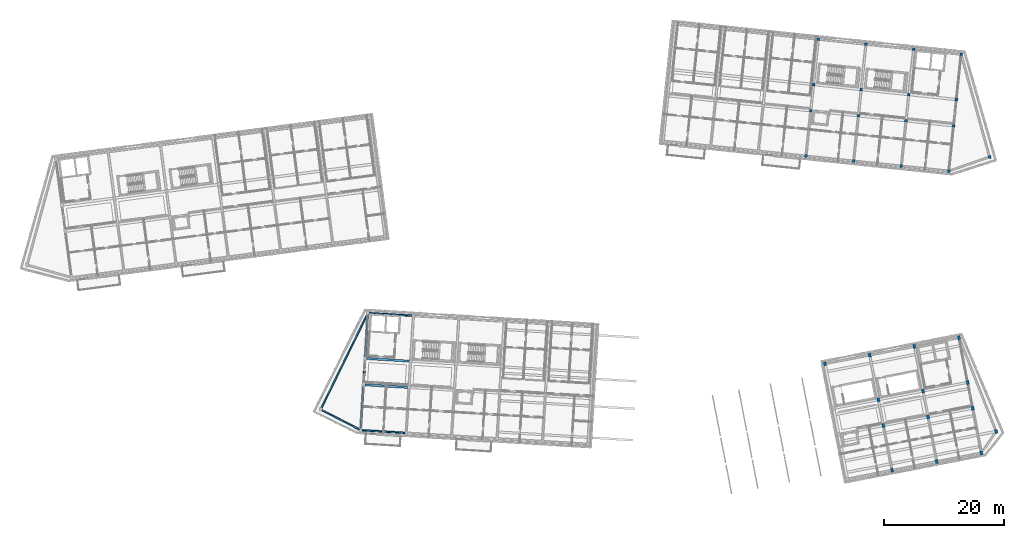
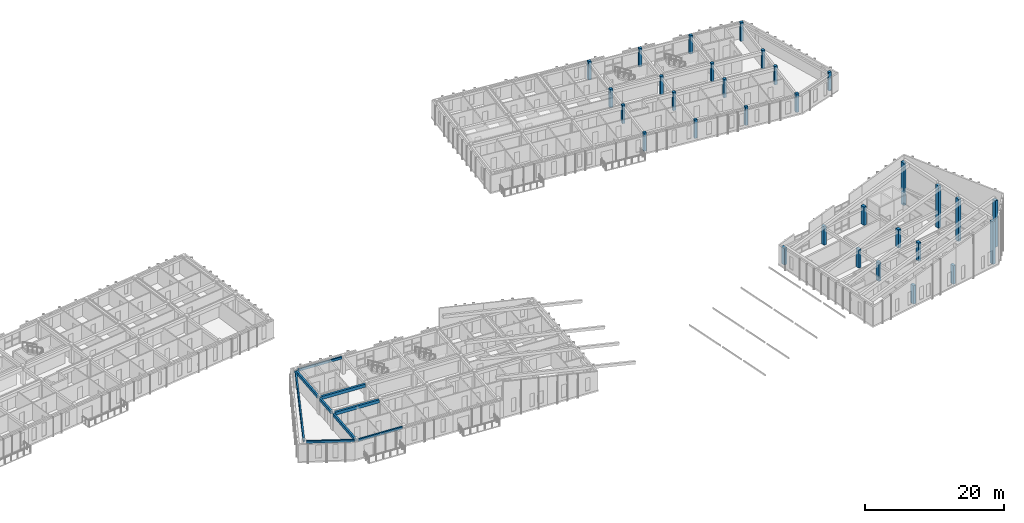
# One storey, part 2 of 56: 31 columns, 9 beams.
"""IFC4 building model written with IfcOpenShell, lengths in metres."""

from ifc_helpers import new_model, si_unit, direction, frame, origin, origin_2d, place, context, subcontext, project, spatial, rectangle, extrude, material, material_profile, profile_set, type_object, element, save


model = new_model("IFC4")

# Units and contexts
model_context = context("Model", 3, precision=1e-05, world=origin(), true_north=direction((0.0, 1.0)))
body_context = subcontext(model_context, "Body", "Model", "MODEL_VIEW")
ifc_project = project(units=[si_unit("LENGTHUNIT", "METRE"), si_unit("AREAUNIT", "SQUARE_METRE"), si_unit("VOLUMEUNIT", "CUBIC_METRE"), si_unit("PLANEANGLEUNIT", "RADIAN"), si_unit("MASSUNIT", "GRAM", prefix="KILO")], contexts=[model_context])

# Site, building, storey
site_placement = place(None, origin())
site = spatial("IfcSite", under=ifc_project, at=site_placement, CompositionType="ELEMENT")
building_placement = place(site_placement, origin())
building = spatial("IfcBuilding", under=site, at=building_placement, Name="Kestramere Prow Commons", CompositionType="ELEMENT")
storey_placement = place(building_placement, frame((0.0, 0.0, 27.89990234375)))
storey = spatial("IfcBuildingStorey", under=building, at=storey_placement, Name="L08", CompositionType="ELEMENT", Elevation=27.89990234375)

# Columns
ifc_material = material(Name="Precast concrete C40/50", Category="concrete")
ifc_material_profile_1 = material_profile(ifc_material, rectangle(XDim=0.449951171875, YDim=0.449951171875, at=origin_2d()), Name="PC-COL 450x450")
ifc_profile_set_1 = profile_set([ifc_material_profile_1], Name="Precast concrete C40/50")
column_type_1 = type_object("IfcColumnType", Name="C-B3 PC-COL 450x450", PredefinedType="COLUMN", material=ifc_profile_set_1)
for number, where, z_axis, x_axis, name in (
    (1, (133.868408203125, 92.291259765625, 0.0), (0.0, 0.0, 1.0), (0.994521895368, -0.104528463268, 0.0), "Block B L08 Column 4-1"),
    (2, (134.662841796875, 99.849609375, 0.0), (0.0, 0.0, 1.0), (0.994521895368, -0.104528463268, 0.0), "Block B L08 Column 4-2"),
    (3, (135.122802734375, 104.2255859375, 0.0), (0.0, 0.0, 1.0), (0.994521895368, -0.104528463268, 0.0), "Block B L08 Column 4-3"),
    (4, (135.917236328125, 111.783935546875, 0.0), (0.0, 0.0, 1.0), (0.994521895368, -0.104528463268, 0.0), "Block B L08 Column 4-4"),
    (5, (141.82470703125, 91.455078125, 0.0), (0.0, 0.0, 1.0), (0.994521895368, -0.104528463268, 0.0), "Block B L08 Column 5-1"),
    (6, (142.619140625, 99.013427734375, 0.0), (0.0, 0.0, 1.0), (0.994521895368, -0.104528463268, 0.0), "Block B L08 Column 5-2"),
    (7, (143.0791015625, 103.389404296875, 0.0), (0.0, 0.0, 1.0), (0.994521895368, -0.104528463268, 0.0), "Block B L08 Column 5-3"),
    (8, (143.87353515625, 110.94775390625, 0.0), (0.0, 0.0, 1.0), (0.994521895368, -0.104528463268, 0.0), "Block B L08 Column 5-4"),
    (9, (149.78076171875, 90.618896484375, 0.0), (0.0, 0.0, 1.0), (0.994521895368, -0.104528463268, 0.0), "Block B L08 Column 6-1"),
    (10, (150.5751953125, 98.17724609375, 0.0), (0.0, 0.0, 1.0), (0.994521895368, -0.104528463268, 0.0), "Block B L08 Column 6-2"),
    (11, (151.03515625, 102.55322265625, 0.0), (0.0, 0.0, 1.0), (0.994521895368, -0.104528463268, 0.0), "Block B L08 Column 6-3"),
    (12, (151.82958984375, 110.111572265625, 0.0), (0.0, 0.0, 1.0), (0.994521895368, -0.104528463268, 0.0), "Block B L08 Column 6-4"),
    (13, (157.737060546875, 89.78271484375, 0.0), (0.0, 0.0, 1.0), (0.994521895368, -0.104528463268, 0.0), "Block B L08 Column 7-1"),
    (14, (158.531494140625, 97.341064453125, 0.0), (0.0, 0.0, 1.0), (0.994521895368, -0.104528463268, 0.0), "Block B L08 Column 7-2"),
    (15, (158.991455078125, 101.716796875, 0.0), (0.0, 0.0, 1.0), (0.994521895368, -0.104528463268, 0.0), "Block B L08 Column 7-3"),
    (16, (159.785888671875, 109.275146484375, 0.0), (0.0, 0.0, 1.0), (0.994521895368, -0.104528463268, 0.0), "Block B L08 Column 7-4"),
    (17, (164.520263671875, 92.136474609375, 0.0), (0.0, 0.0, 1.0), (0.994521895368, -0.104528463268, 0.0), "Block B L08 Prow Apex Column"),
):
    element("IfcColumn", number, at=place(storey_placement, frame(where, z_axis=z_axis, x_axis=x_axis)), inside=storey, type_object=column_type_1, Name=name, PredefinedType="COLUMN", context=body_context, shape_type="SweptSolid", body=[
        extrude(rectangle(XDim=0.449951171875, YDim=0.449951171875, at=origin_2d()), origin(), (0.0, 0.0, 1.0), 3.25),
    ])
ifc_material_profile_2 = material_profile(ifc_material, rectangle(XDim=0.449951171875, YDim=0.64990234375, at=origin_2d()), Name="PC-COL 450x650")
ifc_profile_set_2 = profile_set([ifc_material_profile_2], Name="Precast concrete C40/50")
column_type_2 = type_object("IfcColumnType", Name="C-D3 PC-COL 450x650", PredefinedType="COLUMN", material=ifc_profile_set_2)
column_1_placement = place(storey_placement, frame((137.041259765625, 57.59033203125, 0.0), z_axis=(0.0, 0.0, 1.0), x_axis=(0.981627183448, 0.190808995377, 0.0)))
element("IfcColumn", 18, at=column_1_placement, inside=storey, type_object=column_type_2, Name="Block D L08 Column 4-4", PredefinedType="COLUMN", context=body_context, shape_type="SweptSolid", body=[
    extrude(rectangle(XDim=0.449951171875, YDim=0.64990234375, at=origin_2d()), origin(), (0.0, 0.0, 1.0), 3.0),
])
for number, where, z_axis, x_axis, name in (
    (19, (148.241455078125, 39.800537109375, 0.0), (0.0, 0.0, 1.0), (0.981627183448, 0.190808995377, 0.0), "Block D L08 Column 5-1"),
    (20, (146.791259765625, 47.260986328125, 0.0), (0.0, 0.0, 1.0), (0.981627183448, 0.190808995377, 0.0), "Block D L08 Column 5-2"),
    (21, (145.95166015625, 51.580078125, 0.0), (0.0, 0.0, 1.0), (0.981627183448, 0.190808995377, 0.0), "Block D L08 Column 5-3"),
    (22, (144.501708984375, 59.04052734375, 0.0), (0.0, 0.0, 1.0), (0.981627183448, 0.190808995377, 0.0), "Block D L08 Column 5-4"),
    (23, (155.701904296875, 41.250732421875, 0.0), (0.0, 0.0, 1.0), (0.981627183448, 0.190808995377, 0.0), "Block D L08 Column 6-1"),
    (24, (154.251708984375, 48.711181640625, 0.0), (0.0, 0.0, 1.0), (0.981627183448, 0.190808995377, 0.0), "Block D L08 Column 6-2"),
    (25, (153.412109375, 53.0302734375, 0.0), (0.0, 0.0, 1.0), (0.981627183448, 0.190808995377, 0.0), "Block D L08 Column 6-3"),
    (26, (151.9619140625, 60.49072265625, 0.0), (0.0, 0.0, 1.0), (0.981627183448, 0.190808995377, 0.0), "Block D L08 Column 6-4"),
):
    element("IfcColumn", number, at=place(storey_placement, frame(where, z_axis=z_axis, x_axis=x_axis)), inside=storey, type_object=column_type_2, Name=name, PredefinedType="COLUMN", context=body_context, shape_type="SweptSolid", body=[
        extrude(rectangle(XDim=0.449951171875, YDim=0.64990234375, at=origin_2d()), origin(), (0.0, 0.0, 1.0), 3.25),
    ])
for number, where, z_axis, x_axis, name in (
    (27, (163.162109375, 42.700927734375, 0.0), (0.0, 0.0, 1.0), (0.981627183448, 0.190808995377, 0.0), "Block D L08 Column 7-1"),
    (28, (161.712158203125, 50.161376953125, 0.0), (0.0, 0.0, 1.0), (0.981627183448, 0.190808995377, 0.0), "Block D L08 Column 7-2"),
    (29, (160.87255859375, 54.48046875, 0.0), (0.0, 0.0, 1.0), (0.981627183448, 0.190808995377, 0.0), "Block D L08 Column 7-3"),
    (30, (159.42236328125, 61.940673828125, 0.0), (0.0, 0.0, 1.0), (0.981627183448, 0.190808995377, 0.0), "Block D L08 Column 7-4"),
):
    element("IfcColumn", number, at=place(storey_placement, frame(where, z_axis=z_axis, x_axis=x_axis)), inside=storey, type_object=column_type_2, Name=name, PredefinedType="COLUMN", context=body_context, shape_type="SweptSolid", body=[
        extrude(rectangle(XDim=0.449951171875, YDim=0.64990234375, at=origin_2d()), origin(), (0.0, 0.0, 1.0), 7.467529296875),
    ])
column_2_placement = place(storey_placement, frame((165.623291015625, 46.286376953125, 0.0), z_axis=(0.0, 0.0, 1.0), x_axis=(0.981627183448, 0.190808995377, 0.0)))
element("IfcColumn", 31, at=column_2_placement, inside=storey, type_object=column_type_2, Name="Block D L08 Prow Apex Column", PredefinedType="COLUMN", context=body_context, shape_type="SweptSolid", body=[
    extrude(rectangle(XDim=0.449951171875, YDim=0.64990234375, at=origin_2d()), origin(), (0.0, 0.0, 1.0), 8.13916015625),
])

# Beams
ifc_material_profile_3 = material_profile(ifc_material, rectangle(XDim=0.35009765625, YDim=0.550048828125, at=origin_2d()), Name="PC-BM 350x550")
ifc_profile_set_3 = profile_set([ifc_material_profile_3], Name="Precast concrete C40/50")
beam_type_1 = type_object("IfcBeamType", Name="BM-C1 PC-BM 350x550", PredefinedType="BEAM", material=ifc_profile_set_3)
beam_1_placement = place(storey_placement, frame((60.1884765625, 54.072021484375, 2.72509765625), z_axis=(0.998134602239, -0.061051747017, 0.0), x_axis=(0.061051747017, 0.998134602239, 0.0)))
element("IfcBeam", 32, at=beam_1_placement, inside=storey, type_object=beam_type_1, Name="Block C L08 Longitudinal Beam 2-1", PredefinedType="BEAM", context=body_context, shape_type="SweptSolid", body=[
    extrude(rectangle(XDim=0.35009765625, YDim=0.550048828125, at=origin_2d()), origin(), (0.0, 0.0, 1.0), 7.150146484375),
])
beam_2_placement = place(storey_placement, frame((60.457275390625, 58.4638671875, 2.72509765625), z_axis=(0.998134474962, -0.061053827828, 0.0), x_axis=(0.061053827828, 0.998134474962, 0.0)))
element("IfcBeam", 33, at=beam_2_placement, inside=storey, type_object=beam_type_1, Name="Block C L08 Longitudinal Beam 3-1", PredefinedType="BEAM", context=body_context, shape_type="SweptSolid", body=[
    extrude(rectangle(XDim=0.35009765625, YDim=0.550048828125, at=origin_2d()), origin(), (0.0, 0.0, 1.0), 7.14990234375),
])
ifc_material_profile_4 = material_profile(ifc_material, rectangle(XDim=0.300048828125, YDim=0.5, at=origin_2d()), Name="PC-BM 300x500")
ifc_profile_set_4 = profile_set([ifc_material_profile_4], Name="Precast concrete C40/50")
beam_type_2 = type_object("IfcBeamType", Name="BM-TIE-01 PC-BM 300x500", PredefinedType="BEAM", material=ifc_profile_set_4)
beam_3_placement = place(storey_placement, frame((59.518310546875, 46.799560546875, 2.75), z_axis=(0.061036313012, 0.998135546153, 0.0), x_axis=(-0.998135546153, 0.061036313012, 0.0)))
element("IfcBeam", 34, at=beam_3_placement, inside=storey, type_object=beam_type_2, Name="Block C L08 Transverse Beam 1-1", PredefinedType="BEAM", context=body_context, shape_type="SweptSolid", body=[
    extrude(rectangle(XDim=0.300048828125, YDim=0.5, at=origin_2d()), origin(), (0.0, 0.0, 1.0), 6.999755859375),
])
beam_4_placement = place(storey_placement, frame((59.982177734375, 54.38525390625, 2.75), z_axis=(0.061098306988, 0.998131753269, 0.0), x_axis=(-0.998131753269, 0.061098306988, 0.0)))
element("IfcBeam", 35, at=beam_4_placement, inside=storey, type_object=beam_type_2, Name="Block C L08 Transverse Beam 1-2", PredefinedType="BEAM", context=body_context, shape_type="SweptSolid", body=[
    extrude(rectangle(XDim=0.300048828125, YDim=0.5, at=origin_2d()), origin(), (0.0, 0.0, 1.0), 3.800048828125),
])
beam_5_placement = place(storey_placement, frame((60.2509765625, 58.777099609375, 2.75), z_axis=(0.061036313012, 0.998135546153, 0.0), x_axis=(-0.998135546153, 0.061036313012, 0.0)))
element("IfcBeam", 36, at=beam_5_placement, inside=storey, type_object=beam_type_2, Name="Block C L08 Transverse Beam 1-3", PredefinedType="BEAM", context=body_context, shape_type="SweptSolid", body=[
    extrude(rectangle(XDim=0.300048828125, YDim=0.5, at=origin_2d()), origin(), (0.0, 0.0, 1.0), 6.999755859375),
])
ifc_material_profile_5 = material_profile(ifc_material, rectangle(XDim=0.25, YDim=0.39990234375, at=origin_2d()), Name="PC-SP 250x400")
ifc_profile_set_5 = profile_set([ifc_material_profile_5], Name="Precast concrete C40/50")
beam_type_3 = type_object("IfcBeamType", Name="SP-EXT-01 PC-SP 250x400", PredefinedType="SPANDREL", material=ifc_profile_set_5)
beam_6_placement = place(storey_placement, frame((59.251220703125, 46.628662109375, 2.800048828125), z_axis=(-0.888240269485, 0.459379171998, 0.0), x_axis=(-0.459379171998, -0.888240269485, 0.0)))
element("IfcBeam", 37, at=beam_6_placement, inside=storey, type_object=beam_type_3, Name="Block C L08 Prow Facet Beam S", PredefinedType="SPANDREL", context=body_context, shape_type="SweptSolid", body=[
    extrude(rectangle(XDim=0.25, YDim=0.39990234375, at=origin_2d()), origin(), (0.0, 0.0, 1.0), 6.98388671875),
])
beam_7_placement = place(storey_placement, frame((60.5732421875, 65.81201171875, 2.800048828125), z_axis=(-0.440448933016, -0.897777665909, 0.0), x_axis=(0.897777665909, -0.440448933016, 0.0)))
element("IfcBeam", 38, at=beam_7_placement, inside=storey, type_object=beam_type_3, Name="Block C L08 Prow Facet Beam N", PredefinedType="SPANDREL", context=body_context, shape_type="SweptSolid", body=[
    extrude(rectangle(XDim=0.25, YDim=0.39990234375, at=origin_2d()), origin(), (0.0, 0.0, 1.0), 17.37060546875),
])
for number, where, z_axis, x_axis, name in (
    (39, (59.724609375, 46.486328125, 2.800048828125), (0.998134602239, -0.061051747017, 0.0), (0.061051747017, 0.998134602239, 0.0), "Block C L08 Longitudinal Beam 1-1"),
    (40, (60.921142578125, 66.0498046875, 2.800048828125), (0.998134602239, -0.061051747017, 0.0), (0.061051747017, 0.998134602239, 0.0), "Block C L08 Longitudinal Beam 4-1"),
):
    element("IfcBeam", number, at=place(storey_placement, frame(where, z_axis=z_axis, x_axis=x_axis)), inside=storey, type_object=beam_type_3, Name=name, PredefinedType="SPANDREL", context=body_context, shape_type="SweptSolid", body=[
        extrude(rectangle(XDim=0.25, YDim=0.39990234375, at=origin_2d()), origin(), (0.0, 0.0, 1.0), 7.150146484375),
    ])

save(model, "model.ifc")
